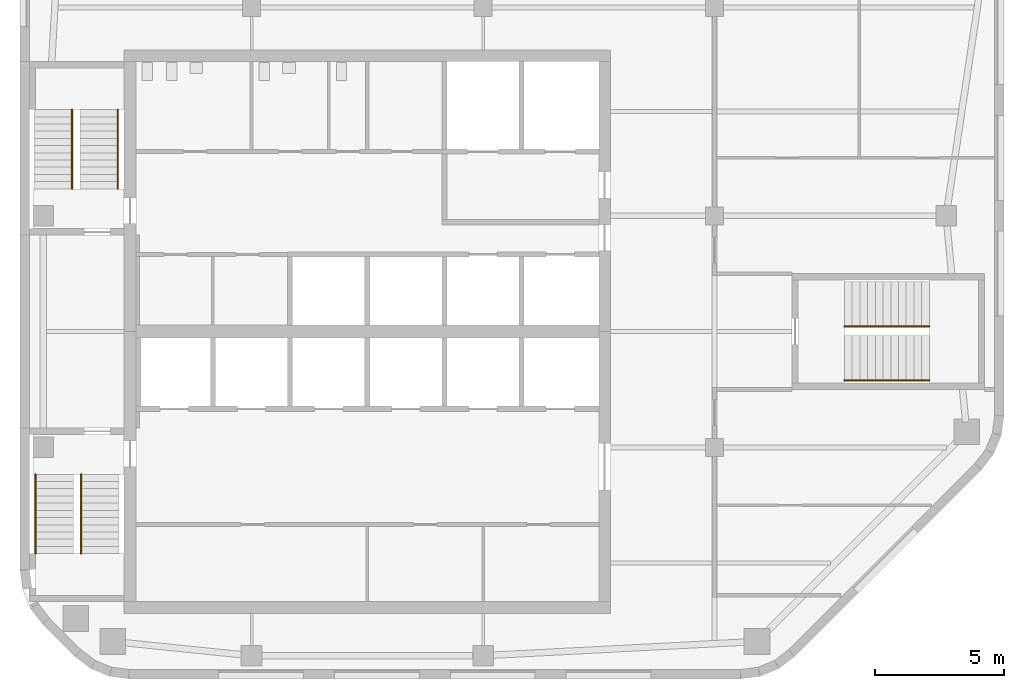
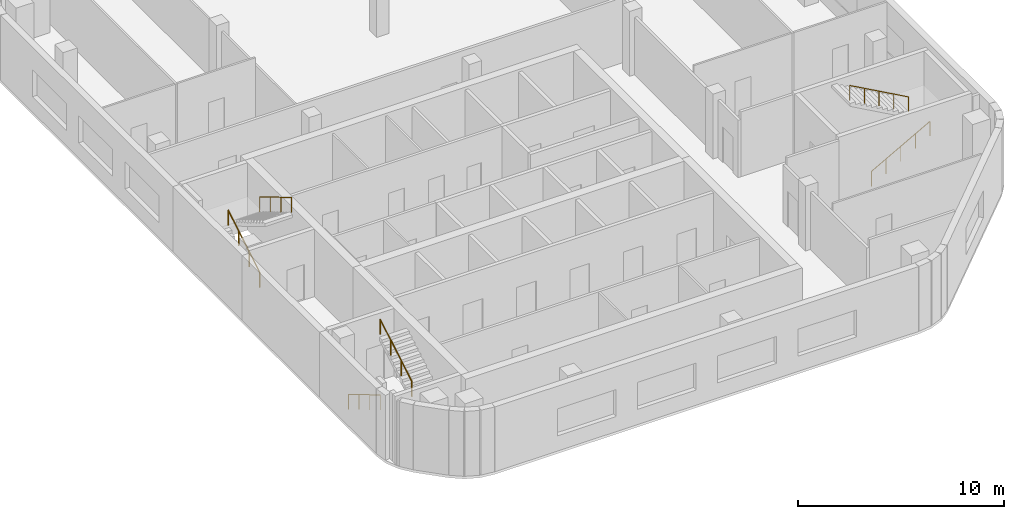
# One storey, part 6 of 7: 6 railings, 3 elements without a shape of their own.
"""IFC4 building model written with IfcOpenShell, lengths in metres."""

import ifcopenshell
import ifcopenshell.guid

model = None  # the IFC model being written
_history = None  # IfcOwnerHistory: only IFC2X3 demands one
_inside = {}  # id of a spatial element -> (the spatial element, [elements in it])
_under = {}  # id of a project, library or spatial element -> (it, [spatial elements below it])
_declared = {}  # id of a project -> (the project, [libraries it declares])
_typed = {}  # id of a type object -> (the type object, [elements of that type])
_made_of = {}  # id of a material, layer set ... -> (it, [elements and type objects made of it])


def new_model(schema):
    """Start an empty IFC model of exactly this schema.

    Asked for "IFC4X3", IfcOpenShell would pick the latest addendum, in which some entities
    have other attributes; the version numbers below select the first issue.
    IFC2X3 requires an IfcOwnerHistory on every rooted entity: one is made here for all.
    """
    global model, _history
    if schema == "IFC4X3":
        model = ifcopenshell.file(schema_version=(4, 3, 0, 0))
    else:
        model = ifcopenshell.file(schema=schema)
    _inside.clear()
    _under.clear()
    _declared.clear()
    _typed.clear()
    _made_of.clear()
    _history = None
    if model.schema == "IFC2X3":
        org = make("IfcOrganization", Name="unknown")
        user = make(
            "IfcPersonAndOrganization",
            ThePerson=make("IfcPerson", FamilyName="unknown"),
            TheOrganization=org,
        )
        app = make(
            "IfcApplication",
            ApplicationDeveloper=org,
            Version="unknown",
            ApplicationFullName="unknown",
            ApplicationIdentifier="unknown",
        )
        _history = make(
            "IfcOwnerHistory",
            OwningUser=user,
            OwningApplication=app,
            ChangeAction="ADDED",
            CreationDate=0,
        )
    return model


def make(cls, **values):
    """One entity of the class cls with the attributes given. An attribute that is None is left unset."""
    return model.create_entity(
        cls, **{name: value for name, value in values.items() if value is not None}
    )


def rooted(cls, **values):
    """An entity with a GlobalId (a new one), such as an element, a storey or a relation."""
    return make(cls, GlobalId=ifcopenshell.guid.new(), OwnerHistory=_history, **values)


def si_unit(unit_type, name, prefix=None):
    """IfcSIUnit, for example si_unit("LENGTHUNIT", "METRE", prefix="MILLI")."""
    return make("IfcSIUnit", UnitType=unit_type, Prefix=prefix, Name=name)


def assignment(units):
    """IfcUnitAssignment: the units of a project."""
    return None if units is None else make("IfcUnitAssignment", Units=units)


def point(xyz):
    """IfcCartesianPoint."""
    return None if xyz is None else make("IfcCartesianPoint", Coordinates=xyz)


def direction(xyz):
    """IfcDirection."""
    return None if xyz is None else make("IfcDirection", DirectionRatios=xyz)


def frame(location, z_axis=None, x_axis=None):
    """IfcAxis2Placement3D, a coordinate frame: its origin and axes. An axis left out is left unset."""
    return make(
        "IfcAxis2Placement3D",
        Location=point(location),
        Axis=direction(z_axis),
        RefDirection=direction(x_axis),
    )


def frame_2d(location, x_axis=None):
    """IfcAxis2Placement2D, a coordinate frame in the plane: its origin and x axis."""
    return make(
        "IfcAxis2Placement2D", Location=point(location), RefDirection=direction(x_axis)
    )


def origin():
    """The frame at (0, 0, 0) with its axes left unset."""
    return frame((0.0, 0.0, 0.0))


def origin_2d():
    """The frame at (0, 0) in the plane with its x axis left unset."""
    return frame_2d((0.0, 0.0))


def place(relative_to, where):
    """IfcLocalPlacement: puts the frame where relative to a parent placement (None: the world)."""
    return make(
        "IfcLocalPlacement", PlacementRelTo=relative_to, RelativePlacement=where
    )


def context(
    kind, dimensions, precision=None, world=None, true_north=None, identifier=None
):
    """IfcGeometricRepresentationContext, for example the 3D "Model" context."""
    return make(
        "IfcGeometricRepresentationContext",
        ContextIdentifier=identifier,
        ContextType=kind,
        CoordinateSpaceDimension=dimensions,
        Precision=precision,
        WorldCoordinateSystem=world,
        TrueNorth=true_north,
    )


def subcontext(parent, identifier, kind, view, scale=None):
    """IfcGeometricRepresentationSubContext, for example "Body" below "Model"."""
    return make(
        "IfcGeometricRepresentationSubContext",
        ContextIdentifier=identifier,
        ContextType=kind,
        ParentContext=parent,
        TargetScale=scale,
        TargetView=view,
    )


def project(units=None, contexts=None):
    """IfcProject with its units and contexts."""
    return rooted(
        "IfcProject",
        Name="project",
        RepresentationContexts=contexts,
        UnitsInContext=assignment(units),
    )


def spatial(cls, under=None, at=None, **own):
    """A site, building, storey or space (cls), placed at a placement, below another one or the project."""
    s = rooted(cls, ObjectPlacement=at, **own)
    if under is not None:
        _under.setdefault(under.id(), (under, []))[1].append(s)
    return s


def profile(cls, at=None, kind="AREA", **sizes):
    """A parametric profile (cls). Its sizes go by their IFC names, for example OverallWidth=200.0."""
    return make(cls, ProfileType=kind, Position=at, **sizes)


def circle(**sizes):
    """IfcCircleProfileDef."""
    return profile("IfcCircleProfileDef", **sizes)


def extrude(swept, where, along, depth):
    """IfcExtrudedAreaSolid: the profile swept, set in the frame where, extruded along a direction by depth."""
    return make(
        "IfcExtrudedAreaSolid",
        SweptArea=swept,
        Position=where,
        ExtrudedDirection=direction(along),
        Depth=depth,
    )


def shape(context_of_items, identifier, shape_type, items):
    """IfcShapeRepresentation: the items that make up one representation, for example the "Body"."""
    return make(
        "IfcShapeRepresentation",
        ContextOfItems=context_of_items,
        RepresentationIdentifier=identifier,
        RepresentationType=shape_type,
        Items=items,
    )


def material(Name=None, Category=None):
    """IfcMaterial."""
    return make("IfcMaterial", Name=Name, Category=Category)


def made_of(thing, what):
    """Note that an element or type object is made of a material, layer set ...; save() writes the relation."""
    if what is not None:
        _made_of.setdefault(what.id(), (what, []))[1].append(thing)
    return thing


def type_object(cls, material=None, **own):
    """A type object (cls), such as IfcWallType, which elements share."""
    return made_of(rooted(cls, **own), material)


def element(
    cls,
    number,
    at=None,
    inside=None,
    cuts=None,
    type_object=None,
    material=None,
    context=None,
    identifier="Body",
    shape_type=None,
    held_by="IfcProductDefinitionShape",
    body=None,
    shapes=None,
    **own,
):
    """One element of the class cls, such as IfcWall. Its Tag is "e" and its number.

    at: its placement. inside: the storey or other place that contains it. cuts: it is an
    opening in that element (IfcRelVoidsElement). A single representation is given by context,
    identifier, shape_type and body (its items); several are given by shapes. held_by: the class
    of the entity that holds the representations. save() writes the other relations.
    """
    e = rooted(cls, Tag="e%d" % number, ObjectPlacement=at, **own)
    if body is not None:
        shapes = [shape(context, identifier, shape_type, body)]
    if shapes is not None:
        e.Representation = make(held_by, Representations=shapes)
    if inside is not None:
        _inside.setdefault(inside.id(), (inside, []))[1].append(e)
    if cuts is not None:
        rooted(
            "IfcRelVoidsElement", RelatingBuildingElement=cuts, RelatedOpeningElement=e
        )
    if type_object is not None:
        _typed.setdefault(type_object.id(), (type_object, []))[1].append(e)
    return made_of(e, material)


def aggregate(whole, parts):
    """IfcRelAggregates: a whole, such as a stair, and the parts it consists of."""
    return rooted("IfcRelAggregates", RelatingObject=whole, RelatedObjects=parts)


def save(model, path):
    """Write the relations noted so far, then the file.

    IfcRelAggregates (storeys below a building ...), IfcRelContainedInSpatialStructure (elements
    in a storey), IfcRelDefinesByType, IfcRelAssociatesMaterial and IfcRelDeclares: one each for
    every whole, place, type object, material and project.
    """
    for whole, parts in _under.values():
        aggregate(whole, parts)
    for where, things in _inside.values():
        rooted(
            "IfcRelContainedInSpatialStructure",
            RelatedElements=things,
            RelatingStructure=where,
        )
    for kind, things in _typed.values():
        rooted("IfcRelDefinesByType", RelatedObjects=things, RelatingType=kind)
    for what, things in _made_of.values():
        rooted("IfcRelAssociatesMaterial", RelatedObjects=things, RelatingMaterial=what)
    for by, libraries in _declared.values():
        rooted("IfcRelDeclares", RelatingContext=by, RelatedDefinitions=libraries)
    model.write(path)


model = new_model("IFC4")

# Units and contexts
model_context = context("Model", 3, precision=1e-05, world=origin(), true_north=direction((0.0, 1.0)))
body_context = subcontext(model_context, "Body", "Model", "MODEL_VIEW")
ifc_project = project(units=[si_unit("LENGTHUNIT", "METRE"), si_unit("AREAUNIT", "SQUARE_METRE"), si_unit("VOLUMEUNIT", "CUBIC_METRE"), si_unit("PLANEANGLEUNIT", "RADIAN"), si_unit("MASSUNIT", "GRAM", prefix="KILO")], contexts=[model_context])

# Site, building, storey
site_placement = place(None, origin())
site = spatial("IfcSite", under=ifc_project, at=site_placement, CompositionType="ELEMENT")
building_placement = place(site_placement, origin())
building = spatial("IfcBuilding", under=site, at=building_placement, Name="Cinnabar Reach Civic Tower", CompositionType="ELEMENT")
storey_placement = place(building_placement, frame((0.0, 0.0, 271.0)))
storey = spatial("IfcBuildingStorey", under=building, at=storey_placement, Name="L65", CompositionType="ELEMENT", Elevation=271.0)

# Stair, railings
ifc_material_1 = material(Name="Concrete C40/50", Category="concrete")
stair_type = type_object("IfcStairType", Name="T1 Exit stair, half-turn", PredefinedType="HALF_TURN_STAIR", material=ifc_material_1)
stair_1_placement = place(storey_placement, origin())
stair_1 = element("IfcStair", 1, at=stair_1_placement, inside=storey, type_object=stair_type, Name="Stair T1-S1", PredefinedType="HALF_TURN_STAIR")
ifc_material_2 = material(Name="Stainless steel tube", Category="steel")
railing_type = type_object("IfcRailingType", Name="T1 Stair handrail, stainless tube 48", PredefinedType="HANDRAIL", material=ifc_material_2)
railing_1_placement = place(storey_placement, frame((0.6, 25.95, 0.1667)))
railing_1 = element("IfcRailing", 2, at=railing_1_placement, type_object=railing_type, Name="T1-S1 handrail 1", PredefinedType="HANDRAIL", context=body_context, shape_type="SweptSolid", body=[
    extrude(circle(Radius=0.024, at=origin_2d()), frame((0.0, 0.0, 0.876), z_axis=(0.0, -0.859296971757, 0.511476992962), x_axis=(1.0, 0.0, 0.0)), (0.0, 0.0, 1.0), 3.5843),
    extrude(circle(Radius=0.021, at=origin_2d()), origin(), (0.0, 0.0, 1.0), 0.852),
    extrude(circle(Radius=0.021, at=origin_2d()), frame((0.0, -1.0267, 0.6111)), (0.0, 0.0, 1.0), 0.852),
    extrude(circle(Radius=0.021, at=origin_2d()), frame((0.0, -2.0533, 1.2222)), (0.0, 0.0, 1.0), 0.852),
    extrude(circle(Radius=0.021, at=origin_2d()), frame((0.0, -3.08, 1.8333)), (0.0, 0.0, 1.0), 0.852),
])
railing_2_placement = place(storey_placement, frame((2.375, 22.87, 2.1667)))
railing_2 = element("IfcRailing", 3, at=railing_2_placement, type_object=railing_type, Name="T1-S1 handrail 2", PredefinedType="HANDRAIL", context=body_context, shape_type="SweptSolid", body=[
    extrude(circle(Radius=0.024, at=origin_2d()), frame((0.0, 0.0, 0.876), z_axis=(0.0, 0.859296971757, 0.511476992962), x_axis=(-1.0, 0.0, 0.0)), (0.0, 0.0, 1.0), 3.5843),
    extrude(circle(Radius=0.021, at=origin_2d()), origin(), (0.0, 0.0, 1.0), 0.852),
    extrude(circle(Radius=0.021, at=origin_2d()), frame((0.0, 1.0267, 0.6111)), (0.0, 0.0, 1.0), 0.852),
    extrude(circle(Radius=0.021, at=origin_2d()), frame((0.0, 2.0533, 1.2222)), (0.0, 0.0, 1.0), 0.852),
    extrude(circle(Radius=0.021, at=origin_2d()), frame((0.0, 3.08, 1.8333)), (0.0, 0.0, 1.0), 0.852),
])
aggregate(stair_1, [railing_1, railing_2])

stair_2_placement = place(storey_placement, origin())
stair_2 = element("IfcStair", 4, at=stair_2_placement, inside=storey, type_object=stair_type, Name="Stair T1-S2", PredefinedType="HALF_TURN_STAIR")
railing_3_placement = place(storey_placement, frame((2.025, 37.05, 0.1667)))
railing_3 = element("IfcRailing", 5, at=railing_3_placement, type_object=railing_type, Name="T1-S2 handrail 1", PredefinedType="HANDRAIL", context=body_context, shape_type="SweptSolid", body=[
    extrude(circle(Radius=0.024, at=origin_2d()), frame((0.0, 0.0, 0.876), z_axis=(0.0, 0.859296971757, 0.511476992962), x_axis=(-1.0, 0.0, 0.0)), (0.0, 0.0, 1.0), 3.5843),
    extrude(circle(Radius=0.021, at=origin_2d()), origin(), (0.0, 0.0, 1.0), 0.852),
    extrude(circle(Radius=0.021, at=origin_2d()), frame((0.0, 1.0267, 0.6111)), (0.0, 0.0, 1.0), 0.852),
    extrude(circle(Radius=0.021, at=origin_2d()), frame((0.0, 2.0533, 1.2222)), (0.0, 0.0, 1.0), 0.852),
    extrude(circle(Radius=0.021, at=origin_2d()), frame((0.0, 3.08, 1.8333)), (0.0, 0.0, 1.0), 0.852),
])
railing_4_placement = place(storey_placement, frame((3.8, 40.13, 2.1667)))
railing_4 = element("IfcRailing", 6, at=railing_4_placement, type_object=railing_type, Name="T1-S2 handrail 2", PredefinedType="HANDRAIL", context=body_context, shape_type="SweptSolid", body=[
    extrude(circle(Radius=0.024, at=origin_2d()), frame((0.0, 0.0, 0.876), z_axis=(0.0, -0.859296971757, 0.511476992962), x_axis=(1.0, 0.0, 0.0)), (0.0, 0.0, 1.0), 3.5843),
    extrude(circle(Radius=0.021, at=origin_2d()), origin(), (0.0, 0.0, 1.0), 0.852),
    extrude(circle(Radius=0.021, at=origin_2d()), frame((0.0, -1.0267, 0.6111)), (0.0, 0.0, 1.0), 0.852),
    extrude(circle(Radius=0.021, at=origin_2d()), frame((0.0, -2.0533, 1.2222)), (0.0, 0.0, 1.0), 0.852),
    extrude(circle(Radius=0.021, at=origin_2d()), frame((0.0, -3.08, 1.8333)), (0.0, 0.0, 1.0), 0.852),
])
aggregate(stair_2, [railing_3, railing_4])

stair_3_placement = place(storey_placement, origin())
stair_3 = element("IfcStair", 7, at=stair_3_placement, inside=storey, type_object=stair_type, Name="Stair T1-S3", PredefinedType="HALF_TURN_STAIR")
railing_5_placement = place(storey_placement, frame((32.05, 29.6, 0.1667)))
railing_5 = element("IfcRailing", 8, at=railing_5_placement, type_object=railing_type, Name="T1-S3 handrail 1", PredefinedType="HANDRAIL", context=body_context, shape_type="SweptSolid", body=[
    extrude(circle(Radius=0.024, at=origin_2d()), frame((0.0, 0.0, 0.876), z_axis=(0.874161024642, 0.0, 0.485636183781), x_axis=(0.0, 1.0, 0.0)), (0.0, 0.0, 1.0), 3.775),
    extrude(circle(Radius=0.021, at=origin_2d()), origin(), (0.0, 0.0, 1.0), 0.852),
    extrude(circle(Radius=0.021, at=origin_2d()), frame((0.825, 0.0, 0.4583)), (0.0, 0.0, 1.0), 0.852),
    extrude(circle(Radius=0.021, at=origin_2d()), frame((1.65, 0.0, 0.9167)), (0.0, 0.0, 1.0), 0.852),
    extrude(circle(Radius=0.021, at=origin_2d()), frame((2.475, 0.0, 1.375)), (0.0, 0.0, 1.0), 0.852),
    extrude(circle(Radius=0.021, at=origin_2d()), frame((3.3, 0.0, 1.8333)), (0.0, 0.0, 1.0), 0.852),
])
railing_6_placement = place(storey_placement, frame((35.35, 31.7, 2.1667)))
railing_6 = element("IfcRailing", 9, at=railing_6_placement, type_object=railing_type, Name="T1-S3 handrail 2", PredefinedType="HANDRAIL", context=body_context, shape_type="SweptSolid", body=[
    extrude(circle(Radius=0.024, at=origin_2d()), frame((0.0, 0.0, 0.876), z_axis=(-0.874161024642, 0.0, 0.485636183781), x_axis=(0.0, -1.0, 0.0)), (0.0, 0.0, 1.0), 3.775),
    extrude(circle(Radius=0.021, at=origin_2d()), origin(), (0.0, 0.0, 1.0), 0.852),
    extrude(circle(Radius=0.021, at=origin_2d()), frame((-0.825, 0.0, 0.4583)), (0.0, 0.0, 1.0), 0.852),
    extrude(circle(Radius=0.021, at=origin_2d()), frame((-1.65, 0.0, 0.9167)), (0.0, 0.0, 1.0), 0.852),
    extrude(circle(Radius=0.021, at=origin_2d()), frame((-2.475, 0.0, 1.375)), (0.0, 0.0, 1.0), 0.852),
    extrude(circle(Radius=0.021, at=origin_2d()), frame((-3.3, 0.0, 1.8333)), (0.0, 0.0, 1.0), 0.852),
])
aggregate(stair_3, [railing_5, railing_6])

save(model, "model.ifc")
